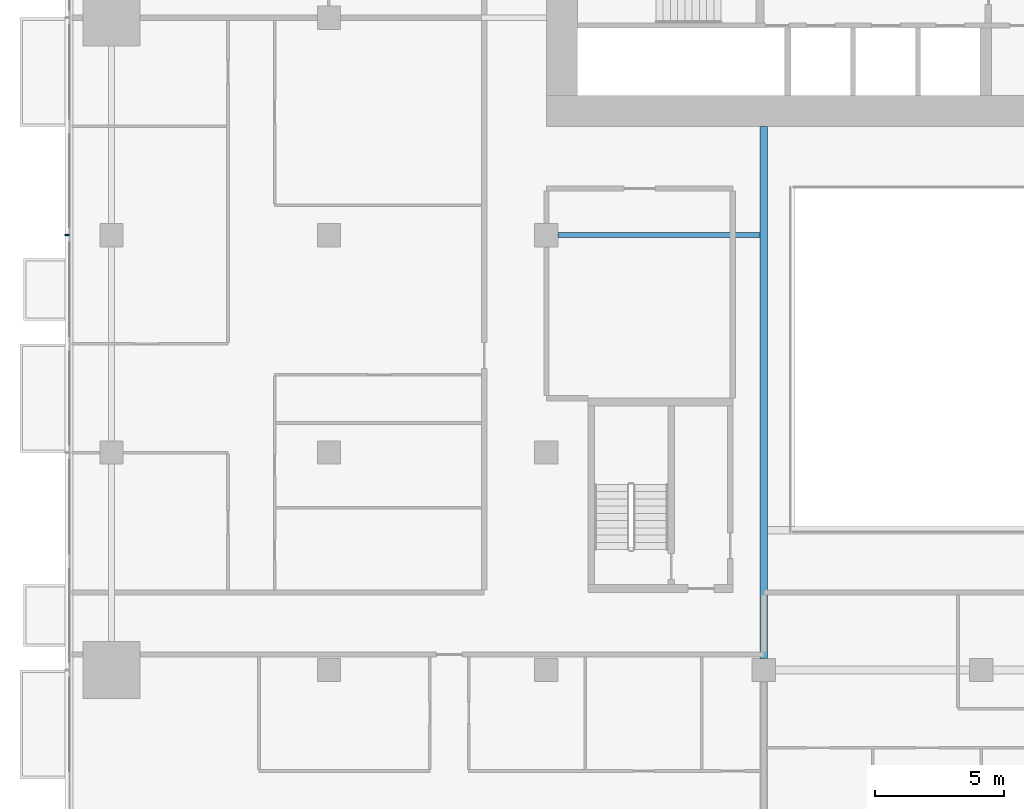
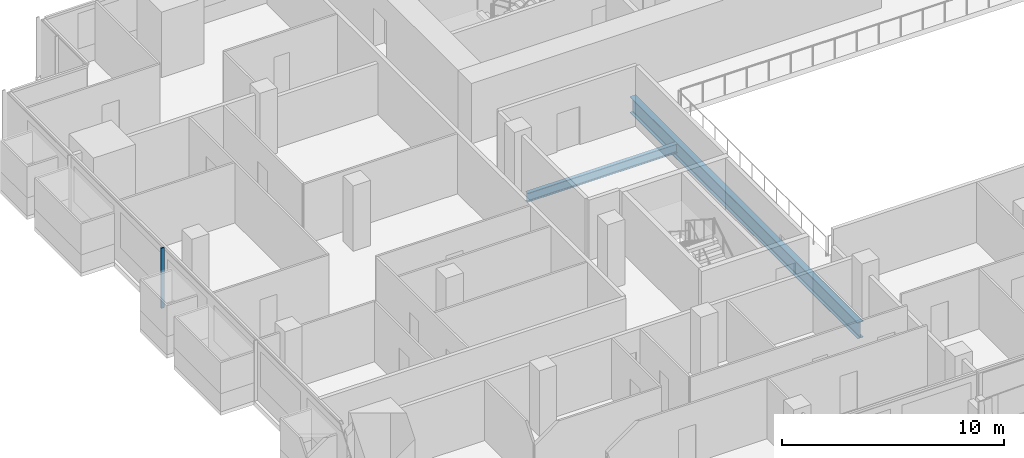
# One storey, part 4 of 27: 2 beams, 1 member, 1 element without a shape of its own.
"""IFC4 building model written with IfcOpenShell, lengths in metres."""

from ifc_helpers import new_model, si_unit, direction, frame, origin, origin_2d, place, context, subcontext, project, spatial, rectangle, i_section, extrude, material, material_profile, profile_set, type_object, element, aggregate, save


model = new_model("IFC4")

# Units and contexts
model_context = context("Model", 3, precision=1e-05, world=origin(), true_north=direction((0.0, 1.0)))
body_context = subcontext(model_context, "Body", "Model", "MODEL_VIEW")
ifc_project = project(units=[si_unit("LENGTHUNIT", "METRE"), si_unit("AREAUNIT", "SQUARE_METRE"), si_unit("VOLUMEUNIT", "CUBIC_METRE"), si_unit("PLANEANGLEUNIT", "RADIAN"), si_unit("MASSUNIT", "GRAM", prefix="KILO")], contexts=[model_context])

# Site, building, storey
site_placement = place(None, origin())
site = spatial("IfcSite", under=ifc_project, at=site_placement, CompositionType="ELEMENT")
building_placement = place(site_placement, origin())
building = spatial("IfcBuilding", under=site, at=building_placement, Name="Saffron Gate Tower", CompositionType="ELEMENT")
storey_placement = place(building_placement, frame((0.0, 0.0, 40.800048828125)))
storey = spatial("IfcBuildingStorey", under=building, at=storey_placement, Name="L08", CompositionType="ELEMENT", Elevation=40.800048828125)

# Beams
ifc_material_1 = material(Name="Structural steel S355", Category="steel")
ifc_material_profile_1 = material_profile(ifc_material_1, i_section(OverallWidth=0.199951171875, OverallDepth=0.5, WebThickness=0.01025390625, FlangeThickness=0.01611328125, FilletRadius=0.02099609375, at=origin_2d()))
ifc_profile_set_1 = profile_set([ifc_material_profile_1], Name="Structural steel S355")
beam_type_1 = type_object("IfcBeamType", Name="B10 IPE 500", PredefinedType="BEAM", material=ifc_profile_set_1)
beam_1_placement = place(storey_placement, frame((67.050048828125, 57.0, -0.530029296875), z_axis=(1.0, 0.0, 0.0), x_axis=(0.0, 1.0, 0.0)))
element("IfcBeam", 1, at=beam_1_placement, inside=storey, type_object=beam_type_1, Name="B10 CORE TIE BEAM", PredefinedType="BEAM", context=body_context, shape_type="SweptSolid", body=[
    extrude(i_section(OverallWidth=0.199951171875, OverallDepth=0.5, WebThickness=0.01025390625, FlangeThickness=0.01611328125, FilletRadius=0.02099609375, at=origin_2d()), origin(), (0.0, 0.0, 1.0), 7.800048828125),
])
ifc_material_profile_2 = material_profile(ifc_material_1, i_section(OverallWidth=0.300048828125, OverallDepth=0.889892578125, WebThickness=0.01611328125, FlangeThickness=0.030029296875, FilletRadius=0.030029296875, at=origin_2d()))
ifc_profile_set_2 = profile_set([ifc_material_profile_2], Name="Structural steel S355")
beam_type_2 = type_object("IfcBeamType", Name="B19 HEA 900", PredefinedType="BEAM", material=ifc_profile_set_2)
beam_2_placement = place(storey_placement, frame((75.0, 40.64990234375, -0.72509765625), z_axis=(0.0, 1.0, 0.0), x_axis=(-1.0, 0.0, 0.0)))
element("IfcBeam", 2, at=beam_2_placement, inside=storey, type_object=beam_type_2, Name="B19 ATRIUM GIRDER", PredefinedType="BEAM", context=body_context, shape_type="SweptSolid", body=[
    extrude(i_section(OverallWidth=0.300048828125, OverallDepth=0.889892578125, WebThickness=0.01611328125, FlangeThickness=0.030029296875, FilletRadius=0.030029296875, at=origin_2d()), origin(), (0.0, 0.0, 1.0), 20.550048828125),
])

# Curtain wall, member
ifc_material_2 = material(Name="Aluminium, bronze anodised", Category="aluminium")
curtain_wall_type = type_object("IfcCurtainWallType", Name="CWS2 curtain wall side facades", PredefinedType="NOTDEFINED", material=ifc_material_2)
curtain_wall_placement = place(storey_placement, origin())
curtain_wall = element("IfcCurtainWall", 3, at=curtain_wall_placement, inside=storey, type_object=curtain_wall_type, Name="CWS2 run 10", PredefinedType="NOTDEFINED")
ifc_material_profile_3 = material_profile(ifc_material_2, rectangle(XDim=0.159912109375, YDim=0.06005859375, at=origin_2d()))
ifc_profile_set_3 = profile_set([ifc_material_profile_3], Name="Aluminium, bronze anodised")
member_type = type_object("IfcMemberType", Name="CWS2 mullion 60x160", PredefinedType="MULLION", material=ifc_profile_set_3)
member_placement = place(storey_placement, frame((48.080078125, 57.0, 0.0), z_axis=(0.0, 0.0, 1.0), x_axis=(1.0, 0.0, 0.0)))
member = element("IfcMember", 4, at=member_placement, type_object=member_type, Name="CWS2 mullion 3", PredefinedType="MULLION", context=body_context, shape_type="SweptSolid", body=[
    extrude(rectangle(XDim=0.159912109375, YDim=0.06005859375, at=origin_2d()), origin(), (0.0, 0.0, 1.0), 3.320068359375),
])
aggregate(curtain_wall, [member])

save(model, "model.ifc")
